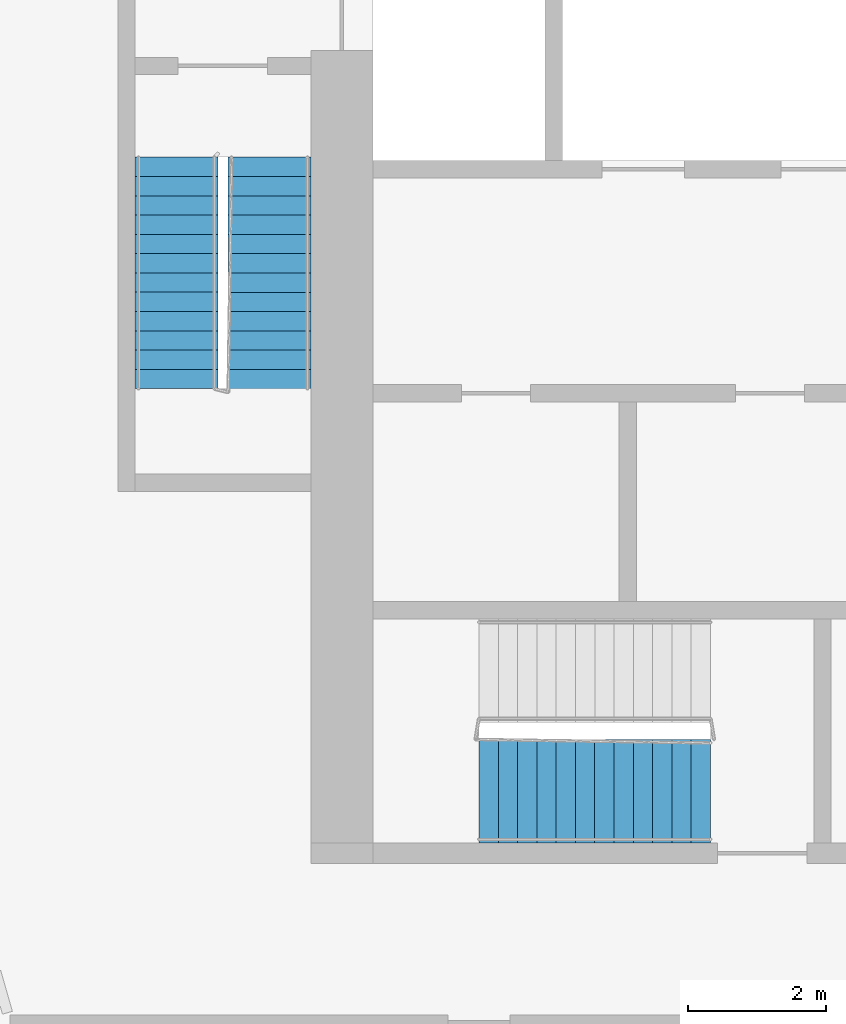
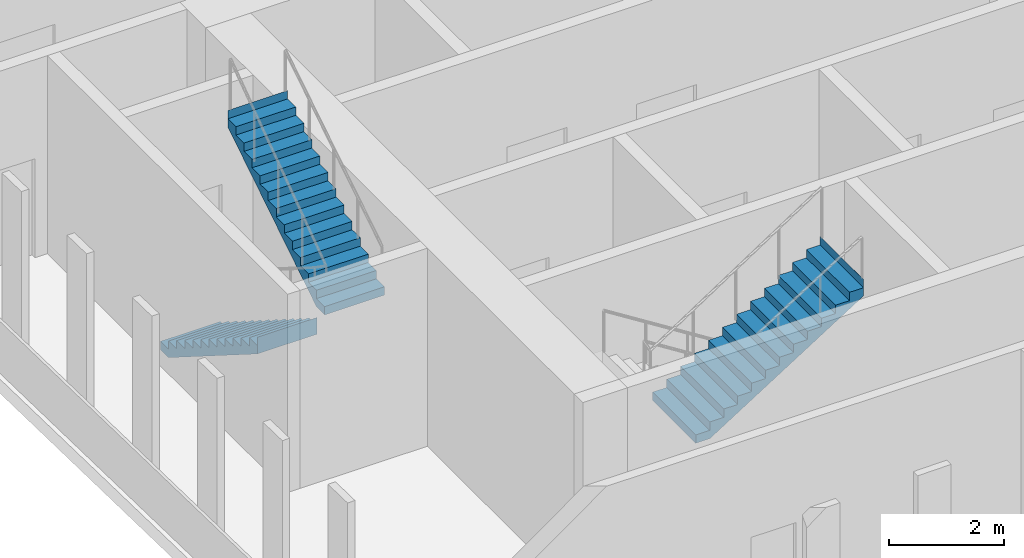
# One storey, part 21 of 26: 3 stair flights, 2 elements without a shape of their own.
"""IFC4 building model written with IfcOpenShell, lengths in metres."""

import ifcopenshell
import ifcopenshell.guid

model = None  # the IFC model being written
_history = None  # IfcOwnerHistory: only IFC2X3 demands one
_inside = {}  # id of a spatial element -> (the spatial element, [elements in it])
_under = {}  # id of a project, library or spatial element -> (it, [spatial elements below it])
_declared = {}  # id of a project -> (the project, [libraries it declares])
_typed = {}  # id of a type object -> (the type object, [elements of that type])
_made_of = {}  # id of a material, layer set ... -> (it, [elements and type objects made of it])


def new_model(schema):
    """Start an empty IFC model of exactly this schema.

    Asked for "IFC4X3", IfcOpenShell would pick the latest addendum, in which some entities
    have other attributes; the version numbers below select the first issue.
    IFC2X3 requires an IfcOwnerHistory on every rooted entity: one is made here for all.
    """
    global model, _history
    if schema == "IFC4X3":
        model = ifcopenshell.file(schema_version=(4, 3, 0, 0))
    else:
        model = ifcopenshell.file(schema=schema)
    _inside.clear()
    _under.clear()
    _declared.clear()
    _typed.clear()
    _made_of.clear()
    _history = None
    if model.schema == "IFC2X3":
        org = make("IfcOrganization", Name="unknown")
        user = make(
            "IfcPersonAndOrganization",
            ThePerson=make("IfcPerson", FamilyName="unknown"),
            TheOrganization=org,
        )
        app = make(
            "IfcApplication",
            ApplicationDeveloper=org,
            Version="unknown",
            ApplicationFullName="unknown",
            ApplicationIdentifier="unknown",
        )
        _history = make(
            "IfcOwnerHistory",
            OwningUser=user,
            OwningApplication=app,
            ChangeAction="ADDED",
            CreationDate=0,
        )
    return model


def make(cls, **values):
    """One entity of the class cls with the attributes given. An attribute that is None is left unset."""
    return model.create_entity(
        cls, **{name: value for name, value in values.items() if value is not None}
    )


def rooted(cls, **values):
    """An entity with a GlobalId (a new one), such as an element, a storey or a relation."""
    return make(cls, GlobalId=ifcopenshell.guid.new(), OwnerHistory=_history, **values)


def si_unit(unit_type, name, prefix=None):
    """IfcSIUnit, for example si_unit("LENGTHUNIT", "METRE", prefix="MILLI")."""
    return make("IfcSIUnit", UnitType=unit_type, Prefix=prefix, Name=name)


def assignment(units):
    """IfcUnitAssignment: the units of a project."""
    return None if units is None else make("IfcUnitAssignment", Units=units)


def point(xyz):
    """IfcCartesianPoint."""
    return None if xyz is None else make("IfcCartesianPoint", Coordinates=xyz)


def direction(xyz):
    """IfcDirection."""
    return None if xyz is None else make("IfcDirection", DirectionRatios=xyz)


def frame(location, z_axis=None, x_axis=None):
    """IfcAxis2Placement3D, a coordinate frame: its origin and axes. An axis left out is left unset."""
    return make(
        "IfcAxis2Placement3D",
        Location=point(location),
        Axis=direction(z_axis),
        RefDirection=direction(x_axis),
    )


def origin():
    """The frame at (0, 0, 0) with its axes left unset."""
    return frame((0.0, 0.0, 0.0))


def place(relative_to, where):
    """IfcLocalPlacement: puts the frame where relative to a parent placement (None: the world)."""
    return make(
        "IfcLocalPlacement", PlacementRelTo=relative_to, RelativePlacement=where
    )


def context(
    kind, dimensions, precision=None, world=None, true_north=None, identifier=None
):
    """IfcGeometricRepresentationContext, for example the 3D "Model" context."""
    return make(
        "IfcGeometricRepresentationContext",
        ContextIdentifier=identifier,
        ContextType=kind,
        CoordinateSpaceDimension=dimensions,
        Precision=precision,
        WorldCoordinateSystem=world,
        TrueNorth=true_north,
    )


def subcontext(parent, identifier, kind, view, scale=None):
    """IfcGeometricRepresentationSubContext, for example "Body" below "Model"."""
    return make(
        "IfcGeometricRepresentationSubContext",
        ContextIdentifier=identifier,
        ContextType=kind,
        ParentContext=parent,
        TargetScale=scale,
        TargetView=view,
    )


def project(units=None, contexts=None):
    """IfcProject with its units and contexts."""
    return rooted(
        "IfcProject",
        Name="project",
        RepresentationContexts=contexts,
        UnitsInContext=assignment(units),
    )


def spatial(cls, under=None, at=None, **own):
    """A site, building, storey or space (cls), placed at a placement, below another one or the project."""
    s = rooted(cls, ObjectPlacement=at, **own)
    if under is not None:
        _under.setdefault(under.id(), (under, []))[1].append(s)
    return s


def faces_of(points, faces, orient=None, outer=None):
    """IfcFace entities. A face is a list of loops; a loop is a list of indices into points, from 0.

    orient and outer hold one flag for each loop. By default every Orientation is true, the
    first loop of a face is its IfcFaceOuterBound and the others are IfcFaceBound.
    """
    made = []
    for i, loops in enumerate(faces):
        bounds = []
        for j, loop in enumerate(loops):
            is_outer = j == 0 if outer is None else outer[i][j]
            bounds.append(
                make(
                    "IfcFaceOuterBound" if is_outer else "IfcFaceBound",
                    Bound=make("IfcPolyLoop", Polygon=[points[k] for k in loop]),
                    Orientation=True if orient is None else orient[i][j],
                )
            )
        made.append(make("IfcFace", Bounds=bounds))
    return made


def faceted_brep(points, faces, orient=None, outer=None, voids=None):
    """IfcFacetedBrep: a solid bounded by flat faces; with voids (closed shells), ...WithVoids."""
    shared = [point(p) for p in points]
    hull = make("IfcClosedShell", CfsFaces=faces_of(shared, faces, orient, outer))
    if voids is None:
        return make("IfcFacetedBrep", Outer=hull)
    return make(
        "IfcFacetedBrepWithVoids",
        Outer=hull,
        Voids=[
            make(cls, CfsFaces=faces_of(shared, fs, o, b)) for cls, fs, o, b in voids
        ],
    )


def shape(context_of_items, identifier, shape_type, items):
    """IfcShapeRepresentation: the items that make up one representation, for example the "Body"."""
    return make(
        "IfcShapeRepresentation",
        ContextOfItems=context_of_items,
        RepresentationIdentifier=identifier,
        RepresentationType=shape_type,
        Items=items,
    )


def material(Name=None, Category=None):
    """IfcMaterial."""
    return make("IfcMaterial", Name=Name, Category=Category)


def made_of(thing, what):
    """Note that an element or type object is made of a material, layer set ...; save() writes the relation."""
    if what is not None:
        _made_of.setdefault(what.id(), (what, []))[1].append(thing)
    return thing


def type_object(cls, material=None, **own):
    """A type object (cls), such as IfcWallType, which elements share."""
    return made_of(rooted(cls, **own), material)


def element(
    cls,
    number,
    at=None,
    inside=None,
    cuts=None,
    type_object=None,
    material=None,
    context=None,
    identifier="Body",
    shape_type=None,
    held_by="IfcProductDefinitionShape",
    body=None,
    shapes=None,
    **own,
):
    """One element of the class cls, such as IfcWall. Its Tag is "e" and its number.

    at: its placement. inside: the storey or other place that contains it. cuts: it is an
    opening in that element (IfcRelVoidsElement). A single representation is given by context,
    identifier, shape_type and body (its items); several are given by shapes. held_by: the class
    of the entity that holds the representations. save() writes the other relations.
    """
    e = rooted(cls, Tag="e%d" % number, ObjectPlacement=at, **own)
    if body is not None:
        shapes = [shape(context, identifier, shape_type, body)]
    if shapes is not None:
        e.Representation = make(held_by, Representations=shapes)
    if inside is not None:
        _inside.setdefault(inside.id(), (inside, []))[1].append(e)
    if cuts is not None:
        rooted(
            "IfcRelVoidsElement", RelatingBuildingElement=cuts, RelatedOpeningElement=e
        )
    if type_object is not None:
        _typed.setdefault(type_object.id(), (type_object, []))[1].append(e)
    return made_of(e, material)


def aggregate(whole, parts):
    """IfcRelAggregates: a whole, such as a stair, and the parts it consists of."""
    return rooted("IfcRelAggregates", RelatingObject=whole, RelatedObjects=parts)


def save(model, path):
    """Write the relations noted so far, then the file.

    IfcRelAggregates (storeys below a building ...), IfcRelContainedInSpatialStructure (elements
    in a storey), IfcRelDefinesByType, IfcRelAssociatesMaterial and IfcRelDeclares: one each for
    every whole, place, type object, material and project.
    """
    for whole, parts in _under.values():
        aggregate(whole, parts)
    for where, things in _inside.values():
        rooted(
            "IfcRelContainedInSpatialStructure",
            RelatedElements=things,
            RelatingStructure=where,
        )
    for kind, things in _typed.values():
        rooted("IfcRelDefinesByType", RelatedObjects=things, RelatingType=kind)
    for what, things in _made_of.values():
        rooted("IfcRelAssociatesMaterial", RelatedObjects=things, RelatingMaterial=what)
    for by, libraries in _declared.values():
        rooted("IfcRelDeclares", RelatingContext=by, RelatedDefinitions=libraries)
    model.write(path)


model = new_model("IFC4")

# Units and contexts
model_context = context("Model", 3, precision=1e-05, world=origin(), true_north=direction((0.0, 1.0)))
body_context = subcontext(model_context, "Body", "Model", "MODEL_VIEW")
ifc_project = project(units=[si_unit("LENGTHUNIT", "METRE"), si_unit("AREAUNIT", "SQUARE_METRE"), si_unit("VOLUMEUNIT", "CUBIC_METRE"), si_unit("PLANEANGLEUNIT", "RADIAN"), si_unit("MASSUNIT", "GRAM", prefix="KILO")], contexts=[model_context])

# Site, building, storey
site_placement = place(None, origin())
site = spatial("IfcSite", under=ifc_project, at=site_placement, CompositionType="ELEMENT")
building_placement = place(site_placement, origin())
building = spatial("IfcBuilding", under=site, at=building_placement, Name="Kajstack Hotel Tower", CompositionType="ELEMENT")
storey_placement = place(building_placement, frame((0.0, 0.0, 257.300048828125)))
storey = spatial("IfcBuildingStorey", under=building, at=storey_placement, Name="L64", CompositionType="ELEMENT", Elevation=257.300048828125)

# Stair, stair flights
ifc_material = material(Name="Concrete C40/50", Category="concrete")
stair_type_1 = type_object("IfcStairType", Name="Exit stair 1200", PredefinedType="HALF_TURN_STAIR", material=ifc_material)
stair_1_placement = place(storey_placement, origin())
stair_1 = element("IfcStair", 1, at=stair_1_placement, inside=storey, type_object=stair_type_1, Name="L64 stair W1", PredefinedType="HALF_TURN_STAIR")
stair_flight_type_1 = type_object("IfcStairFlightType", Name="Exit stair flight 1200", PredefinedType="STRAIGHT", material=ifc_material)
stair_flight_1_placement = place(storey_placement, frame((-33.449951171875, -5.25, 0.0), z_axis=(0.0, 0.0, 1.0), x_axis=(0.0, -1.0, 0.0)))
stair_flight_1 = element("IfcStairFlight", 2, at=stair_flight_1_placement, type_object=stair_flight_type_1, Name="W1 flight 1", NumberOfRisers=13, NumberOfTreads=12, PredefinedType="STRAIGHT", RiserHeight=0.176923077, TreadLength=0.28, context=body_context, shape_type="Brep", body=[
    faceted_brep([(0.281005859375, -0.60009765625, 0.0), (3.360595703125, -0.60009765625, 1.94580078125), (3.360595703125, -0.60009765625, 2.300048828125), (3.360107421875, -0.60009765625, 2.300048828125), (3.360107421875, -0.60009765625, 2.123046875), (3.080078125, -0.60009765625, 2.123046875), (3.080078125, -0.60009765625, 1.946044921875), (2.800048828125, -0.60009765625, 1.946044921875), (2.800048828125, -0.60009765625, 1.769287109375), (2.52001953125, -0.60009765625, 1.769287109375), (2.52001953125, -0.60009765625, 1.59228515625), (2.239990234375, -0.60009765625, 1.59228515625), (2.239990234375, -0.60009765625, 1.415283203125), (1.9599609375, -0.60009765625, 1.415283203125), (1.9599609375, -0.60009765625, 1.238525390625), (1.679931640625, -0.60009765625, 1.238525390625), (1.679931640625, -0.60009765625, 1.0615234375), (1.39990234375, -0.60009765625, 1.0615234375), (1.39990234375, -0.60009765625, 0.884521484375), (1.1201171875, -0.60009765625, 0.884521484375), (1.1201171875, -0.60009765625, 0.707763671875), (0.840087890625, -0.60009765625, 0.707763671875), (0.840087890625, -0.60009765625, 0.53076171875), (0.56005859375, -0.60009765625, 0.53076171875), (0.56005859375, -0.60009765625, 0.353759765625), (0.280029296875, -0.60009765625, 0.353759765625), (0.280029296875, -0.60009765625, 0.177001953125), (-0.00048828125, -0.60009765625, 0.177001953125), (-0.00048828125, -0.60009765625, 0.0), (-0.00048828125, 0.60009765625, 0.0), (-0.00048828125, 0.60009765625, 0.177001953125), (0.280029296875, 0.60009765625, 0.177001953125), (0.280029296875, 0.60009765625, 0.353759765625), (0.56005859375, 0.60009765625, 0.353759765625), (0.56005859375, 0.60009765625, 0.53076171875), (0.840087890625, 0.60009765625, 0.53076171875), (0.840087890625, 0.60009765625, 0.707763671875), (1.1201171875, 0.60009765625, 0.707763671875), (1.1201171875, 0.60009765625, 0.884521484375), (1.39990234375, 0.60009765625, 0.884521484375), (1.39990234375, 0.60009765625, 1.0615234375), (1.679931640625, 0.60009765625, 1.0615234375), (1.679931640625, 0.60009765625, 1.238525390625), (1.9599609375, 0.60009765625, 1.238525390625), (1.9599609375, 0.60009765625, 1.415283203125), (2.239990234375, 0.60009765625, 1.415283203125), (2.239990234375, 0.60009765625, 1.59228515625), (2.52001953125, 0.60009765625, 1.59228515625), (2.52001953125, 0.60009765625, 1.769287109375), (2.800048828125, 0.60009765625, 1.769287109375), (2.800048828125, 0.60009765625, 1.946044921875), (3.080078125, 0.60009765625, 1.946044921875), (3.080078125, 0.60009765625, 2.123046875), (3.360107421875, 0.60009765625, 2.123046875), (3.360107421875, 0.60009765625, 2.300048828125), (3.360595703125, 0.60009765625, 2.300048828125), (3.360595703125, 0.60009765625, 1.94580078125), (0.281005859375, 0.60009765625, 0.0), (-0.00048828125, -0.300048828125, 0.177001953125), (-0.00048828125, 0.0, 0.177001953125), (-0.00048828125, 0.300048828125, 0.177001953125), (-0.00048828125, 0.300048828125, 0.0), (-0.00048828125, 0.0, 0.0), (-0.00048828125, -0.300048828125, 0.0), (0.280029296875, -0.300048828125, 0.177001953125), (0.280029296875, 0.0, 0.177001953125), (0.280029296875, 0.300048828125, 0.177001953125), (0.280029296875, -0.300048828125, 0.353759765625), (0.280029296875, 0.0, 0.353759765625), (0.280029296875, 0.300048828125, 0.353759765625), (0.56005859375, -0.300048828125, 0.353759765625), (0.56005859375, 0.0, 0.353759765625), (0.56005859375, 0.300048828125, 0.353759765625), (0.56005859375, -0.300048828125, 0.53076171875), (0.56005859375, 0.0, 0.53076171875), (0.56005859375, 0.300048828125, 0.53076171875), (0.840087890625, -0.300048828125, 0.53076171875), (0.840087890625, 0.0, 0.53076171875), (0.840087890625, 0.300048828125, 0.53076171875), (0.840087890625, -0.300048828125, 0.707763671875), (0.840087890625, 0.0, 0.707763671875), (0.840087890625, 0.300048828125, 0.707763671875), (1.1201171875, -0.300048828125, 0.707763671875), (1.1201171875, 0.0, 0.707763671875), (1.1201171875, 0.300048828125, 0.707763671875), (1.1201171875, -0.300048828125, 0.884521484375), (1.1201171875, 0.0, 0.884521484375), (1.1201171875, 0.300048828125, 0.884521484375), (1.39990234375, -0.300048828125, 0.884521484375), (1.39990234375, 0.0, 0.884521484375), (1.39990234375, 0.300048828125, 0.884521484375), (1.39990234375, -0.300048828125, 1.0615234375), (1.39990234375, 0.0, 1.0615234375), (1.39990234375, 0.300048828125, 1.0615234375), (1.679931640625, -0.300048828125, 1.0615234375), (1.679931640625, 0.0, 1.0615234375), (1.679931640625, 0.300048828125, 1.0615234375), (1.679931640625, -0.300048828125, 1.238525390625), (1.679931640625, 0.0, 1.238525390625), (1.679931640625, 0.300048828125, 1.238525390625), (1.9599609375, -0.300048828125, 1.238525390625), (1.9599609375, 0.0, 1.238525390625), (1.9599609375, 0.300048828125, 1.238525390625), (1.9599609375, -0.300048828125, 1.415283203125), (1.9599609375, 0.0, 1.415283203125), (1.9599609375, 0.300048828125, 1.415283203125), (2.239990234375, -0.300048828125, 1.415283203125), (2.239990234375, 0.0, 1.415283203125), (2.239990234375, 0.300048828125, 1.415283203125), (2.239990234375, -0.300048828125, 1.59228515625), (2.239990234375, 0.0, 1.59228515625), (2.239990234375, 0.300048828125, 1.59228515625), (2.52001953125, -0.300048828125, 1.59228515625), (2.52001953125, 0.0, 1.59228515625), (2.52001953125, 0.300048828125, 1.59228515625), (2.52001953125, -0.300048828125, 1.769287109375), (2.52001953125, 0.0, 1.769287109375), (2.52001953125, 0.300048828125, 1.769287109375), (2.800048828125, -0.300048828125, 1.769287109375), (2.800048828125, 0.0, 1.769287109375), (2.800048828125, 0.300048828125, 1.769287109375), (2.800048828125, -0.300048828125, 1.946044921875), (2.800048828125, 0.0, 1.946044921875), (2.800048828125, 0.300048828125, 1.946044921875), (3.080078125, -0.300048828125, 1.946044921875), (3.080078125, 0.0, 1.946044921875), (3.080078125, 0.300048828125, 1.946044921875), (3.080078125, -0.300048828125, 2.123046875), (3.080078125, 0.0, 2.123046875), (3.080078125, 0.300048828125, 2.123046875), (3.360107421875, -0.300048828125, 2.123046875), (3.360107421875, 0.0, 2.123046875), (3.360107421875, 0.300048828125, 2.123046875), (3.360107421875, -0.300048828125, 2.300048828125), (3.360107421875, 0.0, 2.300048828125), (3.360107421875, 0.300048828125, 2.300048828125), (3.360595703125, -0.300048828125, 2.300048828125), (3.360595703125, 0.0, 2.300048828125), (3.360595703125, 0.300048828125, 2.300048828125), (3.360595703125, -0.300048828125, 1.94580078125), (3.360595703125, 0.0, 1.94580078125), (3.360595703125, 0.300048828125, 1.94580078125), (0.281005859375, -0.300048828125, 0.0), (0.281005859375, 0.0, 0.0), (0.281005859375, 0.300048828125, 0.0)], [[[0, 1, 2, 3, 4, 5, 6, 7, 8, 9, 10, 11, 12, 13, 14, 15, 16, 17, 18, 19, 20, 21, 22, 23, 24, 25, 26, 27, 28]], [[29, 30, 31, 32, 33, 34, 35, 36, 37, 38, 39, 40, 41, 42, 43, 44, 45, 46, 47, 48, 49, 50, 51, 52, 53, 54, 55, 56, 57]], [[27, 58, 59, 60, 30, 29, 61, 62, 63, 28]], [[26, 64, 65, 66, 31, 30, 60, 59, 58, 27]], [[25, 67, 68, 69, 32, 31, 66, 65, 64, 26]], [[24, 70, 71, 72, 33, 32, 69, 68, 67, 25]], [[23, 73, 74, 75, 34, 33, 72, 71, 70, 24]], [[22, 76, 77, 78, 35, 34, 75, 74, 73, 23]], [[21, 79, 80, 81, 36, 35, 78, 77, 76, 22]], [[20, 82, 83, 84, 37, 36, 81, 80, 79, 21]], [[19, 85, 86, 87, 38, 37, 84, 83, 82, 20]], [[18, 88, 89, 90, 39, 38, 87, 86, 85, 19]], [[17, 91, 92, 93, 40, 39, 90, 89, 88, 18]], [[16, 94, 95, 96, 41, 40, 93, 92, 91, 17]], [[15, 97, 98, 99, 42, 41, 96, 95, 94, 16]], [[14, 100, 101, 102, 43, 42, 99, 98, 97, 15]], [[13, 103, 104, 105, 44, 43, 102, 101, 100, 14]], [[12, 106, 107, 108, 45, 44, 105, 104, 103, 13]], [[11, 109, 110, 111, 46, 45, 108, 107, 106, 12]], [[10, 112, 113, 114, 47, 46, 111, 110, 109, 11]], [[9, 115, 116, 117, 48, 47, 114, 113, 112, 10]], [[8, 118, 119, 120, 49, 48, 117, 116, 115, 9]], [[7, 121, 122, 123, 50, 49, 120, 119, 118, 8]], [[6, 124, 125, 126, 51, 50, 123, 122, 121, 7]], [[5, 127, 128, 129, 52, 51, 126, 125, 124, 6]], [[4, 130, 131, 132, 53, 52, 129, 128, 127, 5]], [[3, 133, 134, 135, 54, 53, 132, 131, 130, 4]], [[2, 136, 137, 138, 55, 54, 135, 134, 133, 3]], [[1, 139, 140, 141, 56, 55, 138, 137, 136, 2]], [[0, 142, 143, 144, 57, 56, 141, 140, 139, 1]], [[28, 63, 62, 61, 29, 57, 144, 143, 142, 0]]]),
])
stair_flight_2_placement = place(storey_placement, frame((-32.10009765625, -8.610107421875, 2.300048828125), z_axis=(0.0, 0.0, 1.0), x_axis=(0.0, 1.0, 0.0)))
stair_flight_2 = element("IfcStairFlight", 3, at=stair_flight_2_placement, type_object=stair_flight_type_1, Name="W1 flight 2", NumberOfRisers=13, NumberOfTreads=12, PredefinedType="STRAIGHT", RiserHeight=0.176923077, TreadLength=0.28, context=body_context, shape_type="Brep", body=[
    faceted_brep([(0.281005859375, -0.60009765625, 0.0), (3.360595703125, -0.60009765625, 1.94580078125), (3.360595703125, -0.60009765625, 2.300048828125), (3.360107421875, -0.60009765625, 2.300048828125), (3.360107421875, -0.60009765625, 2.123046875), (3.080078125, -0.60009765625, 2.123046875), (3.080078125, -0.60009765625, 1.946044921875), (2.800048828125, -0.60009765625, 1.946044921875), (2.800048828125, -0.60009765625, 1.769287109375), (2.52001953125, -0.60009765625, 1.769287109375), (2.52001953125, -0.60009765625, 1.59228515625), (2.239990234375, -0.60009765625, 1.59228515625), (2.239990234375, -0.60009765625, 1.415283203125), (1.9599609375, -0.60009765625, 1.415283203125), (1.9599609375, -0.60009765625, 1.238525390625), (1.679931640625, -0.60009765625, 1.238525390625), (1.679931640625, -0.60009765625, 1.0615234375), (1.39990234375, -0.60009765625, 1.0615234375), (1.39990234375, -0.60009765625, 0.884521484375), (1.1201171875, -0.60009765625, 0.884521484375), (1.1201171875, -0.60009765625, 0.707763671875), (0.840087890625, -0.60009765625, 0.707763671875), (0.840087890625, -0.60009765625, 0.53076171875), (0.56005859375, -0.60009765625, 0.53076171875), (0.56005859375, -0.60009765625, 0.353759765625), (0.280029296875, -0.60009765625, 0.353759765625), (0.280029296875, -0.60009765625, 0.177001953125), (-0.00048828125, -0.60009765625, 0.177001953125), (-0.00048828125, -0.60009765625, 0.0), (-0.00048828125, 0.60009765625, 0.0), (-0.00048828125, 0.60009765625, 0.177001953125), (0.280029296875, 0.60009765625, 0.177001953125), (0.280029296875, 0.60009765625, 0.353759765625), (0.56005859375, 0.60009765625, 0.353759765625), (0.56005859375, 0.60009765625, 0.53076171875), (0.840087890625, 0.60009765625, 0.53076171875), (0.840087890625, 0.60009765625, 0.707763671875), (1.1201171875, 0.60009765625, 0.707763671875), (1.1201171875, 0.60009765625, 0.884521484375), (1.39990234375, 0.60009765625, 0.884521484375), (1.39990234375, 0.60009765625, 1.0615234375), (1.679931640625, 0.60009765625, 1.0615234375), (1.679931640625, 0.60009765625, 1.238525390625), (1.9599609375, 0.60009765625, 1.238525390625), (1.9599609375, 0.60009765625, 1.415283203125), (2.239990234375, 0.60009765625, 1.415283203125), (2.239990234375, 0.60009765625, 1.59228515625), (2.52001953125, 0.60009765625, 1.59228515625), (2.52001953125, 0.60009765625, 1.769287109375), (2.800048828125, 0.60009765625, 1.769287109375), (2.800048828125, 0.60009765625, 1.946044921875), (3.080078125, 0.60009765625, 1.946044921875), (3.080078125, 0.60009765625, 2.123046875), (3.360107421875, 0.60009765625, 2.123046875), (3.360107421875, 0.60009765625, 2.300048828125), (3.360595703125, 0.60009765625, 2.300048828125), (3.360595703125, 0.60009765625, 1.94580078125), (0.281005859375, 0.60009765625, 0.0), (-0.00048828125, -0.300048828125, 0.177001953125), (-0.00048828125, 0.0, 0.177001953125), (-0.00048828125, 0.300048828125, 0.177001953125), (-0.00048828125, 0.300048828125, 0.0), (-0.00048828125, 0.0, 0.0), (-0.00048828125, -0.300048828125, 0.0), (0.280029296875, -0.300048828125, 0.177001953125), (0.280029296875, 0.0, 0.177001953125), (0.280029296875, 0.300048828125, 0.177001953125), (0.280029296875, -0.300048828125, 0.353759765625), (0.280029296875, 0.0, 0.353759765625), (0.280029296875, 0.300048828125, 0.353759765625), (0.56005859375, -0.300048828125, 0.353759765625), (0.56005859375, 0.0, 0.353759765625), (0.56005859375, 0.300048828125, 0.353759765625), (0.56005859375, -0.300048828125, 0.53076171875), (0.56005859375, 0.0, 0.53076171875), (0.56005859375, 0.300048828125, 0.53076171875), (0.840087890625, -0.300048828125, 0.53076171875), (0.840087890625, 0.0, 0.53076171875), (0.840087890625, 0.300048828125, 0.53076171875), (0.840087890625, -0.300048828125, 0.707763671875), (0.840087890625, 0.0, 0.707763671875), (0.840087890625, 0.300048828125, 0.707763671875), (1.1201171875, -0.300048828125, 0.707763671875), (1.1201171875, 0.0, 0.707763671875), (1.1201171875, 0.300048828125, 0.707763671875), (1.1201171875, -0.300048828125, 0.884521484375), (1.1201171875, 0.0, 0.884521484375), (1.1201171875, 0.300048828125, 0.884521484375), (1.39990234375, -0.300048828125, 0.884521484375), (1.39990234375, 0.0, 0.884521484375), (1.39990234375, 0.300048828125, 0.884521484375), (1.39990234375, -0.300048828125, 1.0615234375), (1.39990234375, 0.0, 1.0615234375), (1.39990234375, 0.300048828125, 1.0615234375), (1.679931640625, -0.300048828125, 1.0615234375), (1.679931640625, 0.0, 1.0615234375), (1.679931640625, 0.300048828125, 1.0615234375), (1.679931640625, -0.300048828125, 1.238525390625), (1.679931640625, 0.0, 1.238525390625), (1.679931640625, 0.300048828125, 1.238525390625), (1.9599609375, -0.300048828125, 1.238525390625), (1.9599609375, 0.0, 1.238525390625), (1.9599609375, 0.300048828125, 1.238525390625), (1.9599609375, -0.300048828125, 1.415283203125), (1.9599609375, 0.0, 1.415283203125), (1.9599609375, 0.300048828125, 1.415283203125), (2.239990234375, -0.300048828125, 1.415283203125), (2.239990234375, 0.0, 1.415283203125), (2.239990234375, 0.300048828125, 1.415283203125), (2.239990234375, -0.300048828125, 1.59228515625), (2.239990234375, 0.0, 1.59228515625), (2.239990234375, 0.300048828125, 1.59228515625), (2.52001953125, -0.300048828125, 1.59228515625), (2.52001953125, 0.0, 1.59228515625), (2.52001953125, 0.300048828125, 1.59228515625), (2.52001953125, -0.300048828125, 1.769287109375), (2.52001953125, 0.0, 1.769287109375), (2.52001953125, 0.300048828125, 1.769287109375), (2.800048828125, -0.300048828125, 1.769287109375), (2.800048828125, 0.0, 1.769287109375), (2.800048828125, 0.300048828125, 1.769287109375), (2.800048828125, -0.300048828125, 1.946044921875), (2.800048828125, 0.0, 1.946044921875), (2.800048828125, 0.300048828125, 1.946044921875), (3.080078125, -0.300048828125, 1.946044921875), (3.080078125, 0.0, 1.946044921875), (3.080078125, 0.300048828125, 1.946044921875), (3.080078125, -0.300048828125, 2.123046875), (3.080078125, 0.0, 2.123046875), (3.080078125, 0.300048828125, 2.123046875), (3.360107421875, -0.300048828125, 2.123046875), (3.360107421875, 0.0, 2.123046875), (3.360107421875, 0.300048828125, 2.123046875), (3.360107421875, -0.300048828125, 2.300048828125), (3.360107421875, 0.0, 2.300048828125), (3.360107421875, 0.300048828125, 2.300048828125), (3.360595703125, -0.300048828125, 2.300048828125), (3.360595703125, 0.0, 2.300048828125), (3.360595703125, 0.300048828125, 2.300048828125), (3.360595703125, -0.300048828125, 1.94580078125), (3.360595703125, 0.0, 1.94580078125), (3.360595703125, 0.300048828125, 1.94580078125), (0.281005859375, -0.300048828125, 0.0), (0.281005859375, 0.0, 0.0), (0.281005859375, 0.300048828125, 0.0)], [[[0, 1, 2, 3, 4, 5, 6, 7, 8, 9, 10, 11, 12, 13, 14, 15, 16, 17, 18, 19, 20, 21, 22, 23, 24, 25, 26, 27, 28]], [[29, 30, 31, 32, 33, 34, 35, 36, 37, 38, 39, 40, 41, 42, 43, 44, 45, 46, 47, 48, 49, 50, 51, 52, 53, 54, 55, 56, 57]], [[27, 58, 59, 60, 30, 29, 61, 62, 63, 28]], [[26, 64, 65, 66, 31, 30, 60, 59, 58, 27]], [[25, 67, 68, 69, 32, 31, 66, 65, 64, 26]], [[24, 70, 71, 72, 33, 32, 69, 68, 67, 25]], [[23, 73, 74, 75, 34, 33, 72, 71, 70, 24]], [[22, 76, 77, 78, 35, 34, 75, 74, 73, 23]], [[21, 79, 80, 81, 36, 35, 78, 77, 76, 22]], [[20, 82, 83, 84, 37, 36, 81, 80, 79, 21]], [[19, 85, 86, 87, 38, 37, 84, 83, 82, 20]], [[18, 88, 89, 90, 39, 38, 87, 86, 85, 19]], [[17, 91, 92, 93, 40, 39, 90, 89, 88, 18]], [[16, 94, 95, 96, 41, 40, 93, 92, 91, 17]], [[15, 97, 98, 99, 42, 41, 96, 95, 94, 16]], [[14, 100, 101, 102, 43, 42, 99, 98, 97, 15]], [[13, 103, 104, 105, 44, 43, 102, 101, 100, 14]], [[12, 106, 107, 108, 45, 44, 105, 104, 103, 13]], [[11, 109, 110, 111, 46, 45, 108, 107, 106, 12]], [[10, 112, 113, 114, 47, 46, 111, 110, 109, 11]], [[9, 115, 116, 117, 48, 47, 114, 113, 112, 10]], [[8, 118, 119, 120, 49, 48, 117, 116, 115, 9]], [[7, 121, 122, 123, 50, 49, 120, 119, 118, 8]], [[6, 124, 125, 126, 51, 50, 123, 122, 121, 7]], [[5, 127, 128, 129, 52, 51, 126, 125, 124, 6]], [[4, 130, 131, 132, 53, 52, 129, 128, 127, 5]], [[3, 133, 134, 135, 54, 53, 132, 131, 130, 4]], [[2, 136, 137, 138, 55, 54, 135, 134, 133, 3]], [[1, 139, 140, 141, 56, 55, 138, 137, 136, 2]], [[0, 142, 143, 144, 57, 56, 141, 140, 139, 1]], [[28, 63, 62, 61, 29, 57, 144, 143, 142, 0]]]),
])
aggregate(stair_1, [stair_flight_1, stair_flight_2])

# Stair, stair flight
stair_type_2 = type_object("IfcStairType", Name="Exit stair 1500", PredefinedType="HALF_TURN_STAIR", material=ifc_material)
stair_2_placement = place(storey_placement, origin())
stair_2 = element("IfcStair", 4, at=stair_2_placement, inside=storey, type_object=stair_type_2, Name="L64 stair W3", PredefinedType="HALF_TURN_STAIR")
stair_flight_type_2 = type_object("IfcStairFlightType", Name="Exit stair flight 1500", PredefinedType="STRAIGHT", material=ifc_material)
stair_flight_3_placement = place(storey_placement, frame((-29.06005859375, -14.449951171875, 2.300048828125), z_axis=(0.0, 0.0, 1.0), x_axis=(1.0, 0.0, 0.0)))
stair_flight_3 = element("IfcStairFlight", 5, at=stair_flight_3_placement, type_object=stair_flight_type_2, Name="W3 flight 2", NumberOfRisers=13, NumberOfTreads=12, PredefinedType="STRAIGHT", RiserHeight=0.176923077, TreadLength=0.28, context=body_context, shape_type="Brep", body=[
    faceted_brep([(0.281005859375, -0.75, 0.0), (3.360595703125, -0.75, 1.94580078125), (3.360595703125, -0.75, 2.300048828125), (3.360107421875, -0.75, 2.300048828125), (3.360107421875, -0.75, 2.123046875), (3.080078125, -0.75, 2.123046875), (3.080078125, -0.75, 1.946044921875), (2.800048828125, -0.75, 1.946044921875), (2.800048828125, -0.75, 1.769287109375), (2.52001953125, -0.75, 1.769287109375), (2.52001953125, -0.75, 1.59228515625), (2.239990234375, -0.75, 1.59228515625), (2.239990234375, -0.75, 1.415283203125), (1.9599609375, -0.75, 1.415283203125), (1.9599609375, -0.75, 1.238525390625), (1.679931640625, -0.75, 1.238525390625), (1.679931640625, -0.75, 1.0615234375), (1.39990234375, -0.75, 1.0615234375), (1.39990234375, -0.75, 0.884521484375), (1.1201171875, -0.75, 0.884521484375), (1.1201171875, -0.75, 0.707763671875), (0.840087890625, -0.75, 0.707763671875), (0.840087890625, -0.75, 0.53076171875), (0.56005859375, -0.75, 0.53076171875), (0.56005859375, -0.75, 0.353759765625), (0.280029296875, -0.75, 0.353759765625), (0.280029296875, -0.75, 0.177001953125), (-0.00048828125, -0.75, 0.177001953125), (-0.00048828125, -0.75, 0.0), (-0.00048828125, 0.75, 0.0), (-0.00048828125, 0.75, 0.177001953125), (0.280029296875, 0.75, 0.177001953125), (0.280029296875, 0.75, 0.353759765625), (0.56005859375, 0.75, 0.353759765625), (0.56005859375, 0.75, 0.53076171875), (0.840087890625, 0.75, 0.53076171875), (0.840087890625, 0.75, 0.707763671875), (1.1201171875, 0.75, 0.707763671875), (1.1201171875, 0.75, 0.884521484375), (1.39990234375, 0.75, 0.884521484375), (1.39990234375, 0.75, 1.0615234375), (1.679931640625, 0.75, 1.0615234375), (1.679931640625, 0.75, 1.238525390625), (1.9599609375, 0.75, 1.238525390625), (1.9599609375, 0.75, 1.415283203125), (2.239990234375, 0.75, 1.415283203125), (2.239990234375, 0.75, 1.59228515625), (2.52001953125, 0.75, 1.59228515625), (2.52001953125, 0.75, 1.769287109375), (2.800048828125, 0.75, 1.769287109375), (2.800048828125, 0.75, 1.946044921875), (3.080078125, 0.75, 1.946044921875), (3.080078125, 0.75, 2.123046875), (3.360107421875, 0.75, 2.123046875), (3.360107421875, 0.75, 2.300048828125), (3.360595703125, 0.75, 2.300048828125), (3.360595703125, 0.75, 1.94580078125), (0.281005859375, 0.75, 0.0), (-0.00048828125, -0.375, 0.177001953125), (-0.00048828125, 0.0, 0.177001953125), (-0.00048828125, 0.375, 0.177001953125), (-0.00048828125, 0.375, 0.0), (-0.00048828125, 0.0, 0.0), (-0.00048828125, -0.375, 0.0), (0.280029296875, -0.375, 0.177001953125), (0.280029296875, 0.0, 0.177001953125), (0.280029296875, 0.375, 0.177001953125), (0.280029296875, -0.375, 0.353759765625), (0.280029296875, 0.0, 0.353759765625), (0.280029296875, 0.375, 0.353759765625), (0.56005859375, -0.375, 0.353759765625), (0.56005859375, 0.0, 0.353759765625), (0.56005859375, 0.375, 0.353759765625), (0.56005859375, -0.375, 0.53076171875), (0.56005859375, 0.0, 0.53076171875), (0.56005859375, 0.375, 0.53076171875), (0.840087890625, -0.375, 0.53076171875), (0.840087890625, 0.0, 0.53076171875), (0.840087890625, 0.375, 0.53076171875), (0.840087890625, -0.375, 0.707763671875), (0.840087890625, 0.0, 0.707763671875), (0.840087890625, 0.375, 0.707763671875), (1.1201171875, -0.375, 0.707763671875), (1.1201171875, 0.0, 0.707763671875), (1.1201171875, 0.375, 0.707763671875), (1.1201171875, -0.375, 0.884521484375), (1.1201171875, 0.0, 0.884521484375), (1.1201171875, 0.375, 0.884521484375), (1.39990234375, -0.375, 0.884521484375), (1.39990234375, 0.0, 0.884521484375), (1.39990234375, 0.375, 0.884521484375), (1.39990234375, -0.375, 1.0615234375), (1.39990234375, 0.0, 1.0615234375), (1.39990234375, 0.375, 1.0615234375), (1.679931640625, -0.375, 1.0615234375), (1.679931640625, 0.0, 1.0615234375), (1.679931640625, 0.375, 1.0615234375), (1.679931640625, -0.375, 1.238525390625), (1.679931640625, 0.0, 1.238525390625), (1.679931640625, 0.375, 1.238525390625), (1.9599609375, -0.375, 1.238525390625), (1.9599609375, 0.0, 1.238525390625), (1.9599609375, 0.375, 1.238525390625), (1.9599609375, -0.375, 1.415283203125), (1.9599609375, 0.0, 1.415283203125), (1.9599609375, 0.375, 1.415283203125), (2.239990234375, -0.375, 1.415283203125), (2.239990234375, 0.0, 1.415283203125), (2.239990234375, 0.375, 1.415283203125), (2.239990234375, -0.375, 1.59228515625), (2.239990234375, 0.0, 1.59228515625), (2.239990234375, 0.375, 1.59228515625), (2.52001953125, -0.375, 1.59228515625), (2.52001953125, 0.0, 1.59228515625), (2.52001953125, 0.375, 1.59228515625), (2.52001953125, -0.375, 1.769287109375), (2.52001953125, 0.0, 1.769287109375), (2.52001953125, 0.375, 1.769287109375), (2.800048828125, -0.375, 1.769287109375), (2.800048828125, 0.0, 1.769287109375), (2.800048828125, 0.375, 1.769287109375), (2.800048828125, -0.375, 1.946044921875), (2.800048828125, 0.0, 1.946044921875), (2.800048828125, 0.375, 1.946044921875), (3.080078125, -0.375, 1.946044921875), (3.080078125, 0.0, 1.946044921875), (3.080078125, 0.375, 1.946044921875), (3.080078125, -0.375, 2.123046875), (3.080078125, 0.0, 2.123046875), (3.080078125, 0.375, 2.123046875), (3.360107421875, -0.375, 2.123046875), (3.360107421875, 0.0, 2.123046875), (3.360107421875, 0.375, 2.123046875), (3.360107421875, -0.375, 2.300048828125), (3.360107421875, 0.0, 2.300048828125), (3.360107421875, 0.375, 2.300048828125), (3.360595703125, -0.375, 2.300048828125), (3.360595703125, 0.0, 2.300048828125), (3.360595703125, 0.375, 2.300048828125), (3.360595703125, -0.375, 1.94580078125), (3.360595703125, 0.0, 1.94580078125), (3.360595703125, 0.375, 1.94580078125), (0.281005859375, -0.375, 0.0), (0.281005859375, 0.0, 0.0), (0.281005859375, 0.375, 0.0)], [[[0, 1, 2, 3, 4, 5, 6, 7, 8, 9, 10, 11, 12, 13, 14, 15, 16, 17, 18, 19, 20, 21, 22, 23, 24, 25, 26, 27, 28]], [[29, 30, 31, 32, 33, 34, 35, 36, 37, 38, 39, 40, 41, 42, 43, 44, 45, 46, 47, 48, 49, 50, 51, 52, 53, 54, 55, 56, 57]], [[27, 58, 59, 60, 30, 29, 61, 62, 63, 28]], [[26, 64, 65, 66, 31, 30, 60, 59, 58, 27]], [[25, 67, 68, 69, 32, 31, 66, 65, 64, 26]], [[24, 70, 71, 72, 33, 32, 69, 68, 67, 25]], [[23, 73, 74, 75, 34, 33, 72, 71, 70, 24]], [[22, 76, 77, 78, 35, 34, 75, 74, 73, 23]], [[21, 79, 80, 81, 36, 35, 78, 77, 76, 22]], [[20, 82, 83, 84, 37, 36, 81, 80, 79, 21]], [[19, 85, 86, 87, 38, 37, 84, 83, 82, 20]], [[18, 88, 89, 90, 39, 38, 87, 86, 85, 19]], [[17, 91, 92, 93, 40, 39, 90, 89, 88, 18]], [[16, 94, 95, 96, 41, 40, 93, 92, 91, 17]], [[15, 97, 98, 99, 42, 41, 96, 95, 94, 16]], [[14, 100, 101, 102, 43, 42, 99, 98, 97, 15]], [[13, 103, 104, 105, 44, 43, 102, 101, 100, 14]], [[12, 106, 107, 108, 45, 44, 105, 104, 103, 13]], [[11, 109, 110, 111, 46, 45, 108, 107, 106, 12]], [[10, 112, 113, 114, 47, 46, 111, 110, 109, 11]], [[9, 115, 116, 117, 48, 47, 114, 113, 112, 10]], [[8, 118, 119, 120, 49, 48, 117, 116, 115, 9]], [[7, 121, 122, 123, 50, 49, 120, 119, 118, 8]], [[6, 124, 125, 126, 51, 50, 123, 122, 121, 7]], [[5, 127, 128, 129, 52, 51, 126, 125, 124, 6]], [[4, 130, 131, 132, 53, 52, 129, 128, 127, 5]], [[3, 133, 134, 135, 54, 53, 132, 131, 130, 4]], [[2, 136, 137, 138, 55, 54, 135, 134, 133, 3]], [[1, 139, 140, 141, 56, 55, 138, 137, 136, 2]], [[0, 142, 143, 144, 57, 56, 141, 140, 139, 1]], [[28, 63, 62, 61, 29, 57, 144, 143, 142, 0]]]),
])
aggregate(stair_2, [stair_flight_3])

save(model, "model.ifc")
